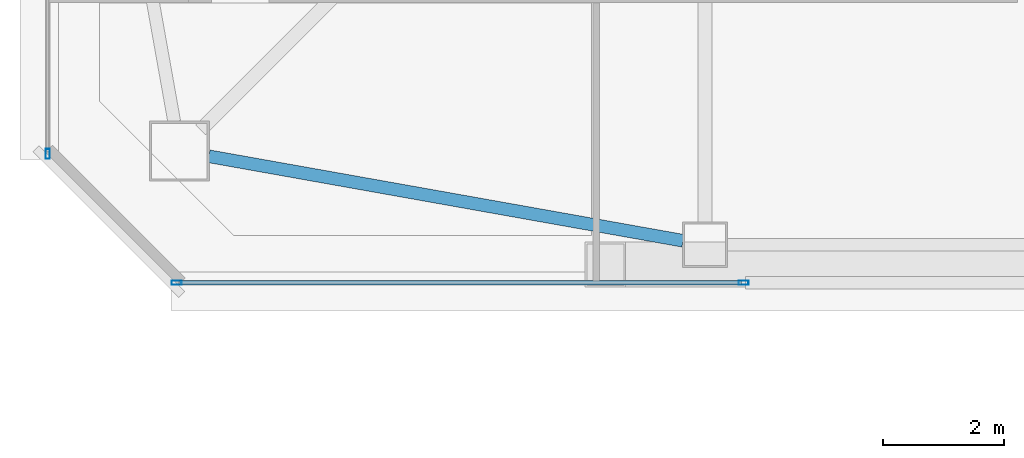
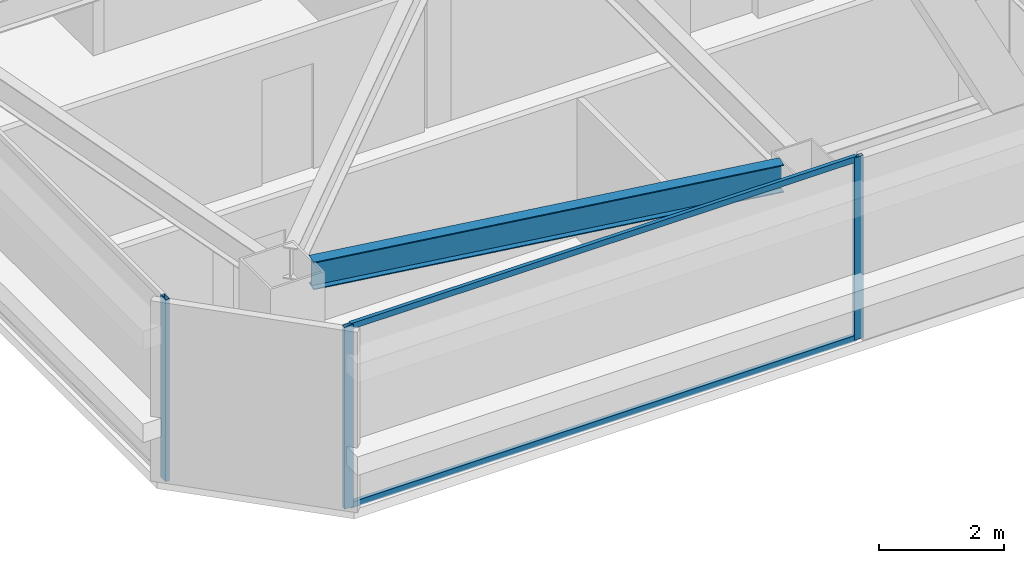
# One storey, part 3 of 47: 5 members, 1 beam, 2 elements without a shape of their own.
"""IFC4 building model written with IfcOpenShell, lengths in metres."""

from ifc_helpers import new_model, si_unit, direction, frame, origin, origin_2d, place, context, subcontext, project, spatial, hollow_rectangle, i_section, extrude, material, material_profile, profile_set, type_object, element, aggregate, save


model = new_model("IFC4")

# Units and contexts
model_context = context("Model", 3, precision=1e-05, world=origin(), true_north=direction((0.0, 1.0)))
body_context = subcontext(model_context, "Body", "Model", "MODEL_VIEW")
ifc_project = project(units=[si_unit("LENGTHUNIT", "METRE"), si_unit("AREAUNIT", "SQUARE_METRE"), si_unit("VOLUMEUNIT", "CUBIC_METRE"), si_unit("PLANEANGLEUNIT", "RADIAN"), si_unit("MASSUNIT", "GRAM", prefix="KILO")], contexts=[model_context])

# Site, building, storey
site_placement = place(None, origin())
site = spatial("IfcSite", under=ifc_project, at=site_placement, CompositionType="ELEMENT")
building_placement = place(site_placement, origin())
building = spatial("IfcBuilding", under=site, at=building_placement, Name="Tashvorn Skyway Center", CompositionType="ELEMENT")
storey_placement = place(building_placement, frame((0.0, 0.0, 204.199951171875)))
storey = spatial("IfcBuildingStorey", under=building, at=storey_placement, Name="L55", CompositionType="ELEMENT", Elevation=204.199951171875)

# Beam
ifc_material_1 = material(Name="Steel ASTM A992 Grade 50", Category="steel")
ifc_material_profile_1 = material_profile(ifc_material_1, i_section(OverallWidth=0.2109375, OverallDepth=0.5390625, WebThickness=0.01171875, FlangeThickness=0.018798828125, at=origin_2d()), Name="W21X73")
ifc_profile_set_1 = profile_set([ifc_material_profile_1], Name="Steel ASTM A992 Grade 50")
beam_type = type_object("IfcBeamType", Name="BM-SPANDREL-W21X73", PredefinedType="SPANDREL", material=ifc_profile_set_1)
beam_placement = place(storey_placement, frame((28.38720703125, 17.813232421875, 3.1005859375), z_axis=(0.984494883191, -0.17541329759, 0.0), x_axis=(0.17541329759, 0.984494883191, 0.0)))
element("IfcBeam", 1, at=beam_placement, inside=storey, type_object=beam_type, Name="Tower 1 L55 Spandrel Beam 01", PredefinedType="SPANDREL", context=body_context, shape_type="SweptSolid", body=[
    extrude(i_section(OverallWidth=0.2109375, OverallDepth=0.5390625, WebThickness=0.01171875, FlangeThickness=0.018798828125, at=origin_2d()), origin(), (0.0, 0.0, 1.0), 7.97216796875),
])

# Curtain wall, members
ifc_material_2 = material(Name="Thermally broken bronze-anodized aluminium 6063-T6", Category="aluminium")
curtain_wall_type = type_object("IfcCurtainWallType", Name="CW-CW-Z5", PredefinedType="NOTDEFINED", material=ifc_material_2)
curtain_wall_1_placement = place(storey_placement, origin())
curtain_wall_1 = element("IfcCurtainWall", 2, at=curtain_wall_1_placement, inside=storey, type_object=curtain_wall_type, Name="Tower 1 L55 South Unitised Curtain Wall Glazing Group 2", PredefinedType="NOTDEFINED")
ifc_material_profile_2 = material_profile(ifc_material_2, hollow_rectangle(XDim=0.070068359375, YDim=0.1650390625, WallThickness=0.00390625, at=origin_2d()), Name="ALU-MULL-70x165")
ifc_profile_set_2 = profile_set([ifc_material_profile_2], Name="Thermally broken bronze-anodized aluminium 6063-T6")
member_type_1 = type_object("IfcMemberType", Name="CWM-CW-Z5", PredefinedType="MULLION", material=ifc_profile_set_2)
member_1_placement = place(storey_placement, frame((37.23828125, 15.719970703125, 0.0), z_axis=(0.0, 0.0, 1.0), x_axis=(0.0, -1.0, 0.0)))
member_1 = element("IfcMember", 3, at=member_1_placement, type_object=member_type_1, Name="CW-Z5 mullion 1", PredefinedType="MULLION", context=body_context, shape_type="SweptSolid", body=[
    extrude(hollow_rectangle(XDim=0.070068359375, YDim=0.1650390625, WallThickness=0.00390625, at=origin_2d()), origin(), (0.0, 0.0, 1.0), 3.550048828125),
])
member_2_placement = place(storey_placement, frame((27.85498046875, 15.719970703125, 0.0), z_axis=(0.0, 0.0, 1.0), x_axis=(0.0, -1.0, 0.0)))
member_2 = element("IfcMember", 4, at=member_2_placement, type_object=member_type_1, Name="CW-Z5 mullion 2", PredefinedType="MULLION", context=body_context, shape_type="SweptSolid", body=[
    extrude(hollow_rectangle(XDim=0.070068359375, YDim=0.1650390625, WallThickness=0.00390625, at=origin_2d()), origin(), (0.0, 0.0, 1.0), 3.550048828125),
])

# Curtain wall, member
curtain_wall_2_placement = place(storey_placement, origin())
curtain_wall_2 = element("IfcCurtainWall", 5, at=curtain_wall_2_placement, inside=storey, type_object=curtain_wall_type, Name="Tower 1 L55 West Unitised Curtain Wall Glazing Group 1", PredefinedType="NOTDEFINED")
member_3_placement = place(storey_placement, frame((25.719970703125, 17.85498046875, 0.0), z_axis=(0.0, 0.0, 1.0), x_axis=(-1.0, 0.0, 0.0)))
member_3 = element("IfcMember", 6, at=member_3_placement, type_object=member_type_1, Name="CW-Z5 mullion 1", PredefinedType="MULLION", context=body_context, shape_type="SweptSolid", body=[
    extrude(hollow_rectangle(XDim=0.070068359375, YDim=0.1650390625, WallThickness=0.00390625, at=origin_2d()), origin(), (0.0, 0.0, 1.0), 3.550048828125),
])
aggregate(curtain_wall_2, [member_3])

# Member
ifc_material_profile_3 = material_profile(ifc_material_2, hollow_rectangle(XDim=0.070068359375, YDim=0.114990234375, WallThickness=0.00390625, at=origin_2d()), Name="ALU-TRAN-70x115")
ifc_profile_set_3 = profile_set([ifc_material_profile_3], Name="Thermally broken bronze-anodized aluminium 6063-T6")
member_type_2 = type_object("IfcMemberType", Name="CWT-CW-Z5", PredefinedType="USERDEFINED", material=ifc_profile_set_3)
member_4_placement = place(storey_placement, frame((37.203369140625, 15.719970703125, 0.03515625), z_axis=(-1.0, 0.0, 0.0), x_axis=(0.0, -1.0, 0.0)))
member_4 = element("IfcMember", 7, at=member_4_placement, type_object=member_type_2, Name="CW-Z5 transom 1.1", ObjectType="TRANSOM", PredefinedType="USERDEFINED", context=body_context, shape_type="SweptSolid", body=[
    extrude(hollow_rectangle(XDim=0.070068359375, YDim=0.114990234375, WallThickness=0.00390625, at=origin_2d()), origin(), (0.0, 0.0, 1.0), 9.3134765625),
])

member_5_placement = place(storey_placement, frame((37.203369140625, 15.719970703125, 3.51513671875), z_axis=(-1.0, 0.0, 0.0), x_axis=(0.0, -1.0, 0.0)))
member_5 = element("IfcMember", 8, at=member_5_placement, type_object=member_type_2, Name="CW-Z5 transom 1.2", ObjectType="TRANSOM", PredefinedType="USERDEFINED", context=body_context, shape_type="SweptSolid", body=[
    extrude(hollow_rectangle(XDim=0.070068359375, YDim=0.114990234375, WallThickness=0.00390625, at=origin_2d()), origin(), (0.0, 0.0, 1.0), 9.3134765625),
])

aggregate(curtain_wall_1, [member_1, member_2, member_4, member_5])

save(model, "model.ifc")
